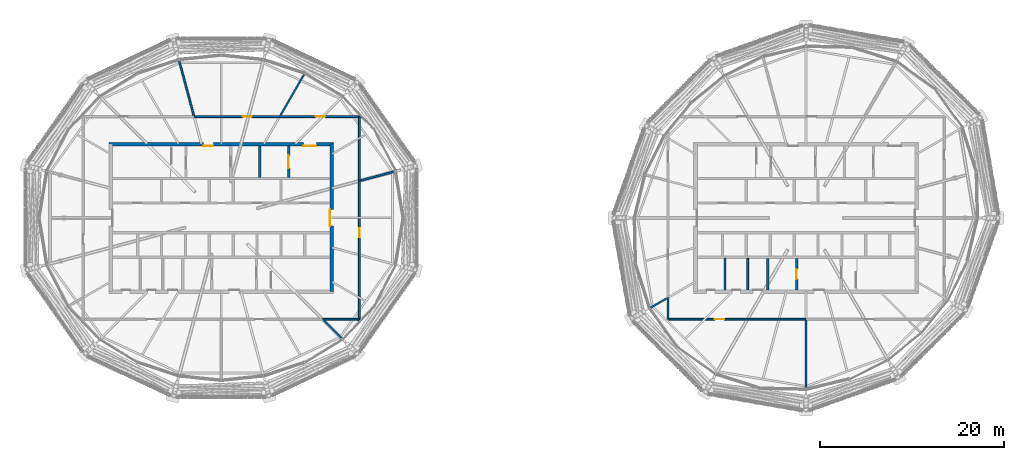
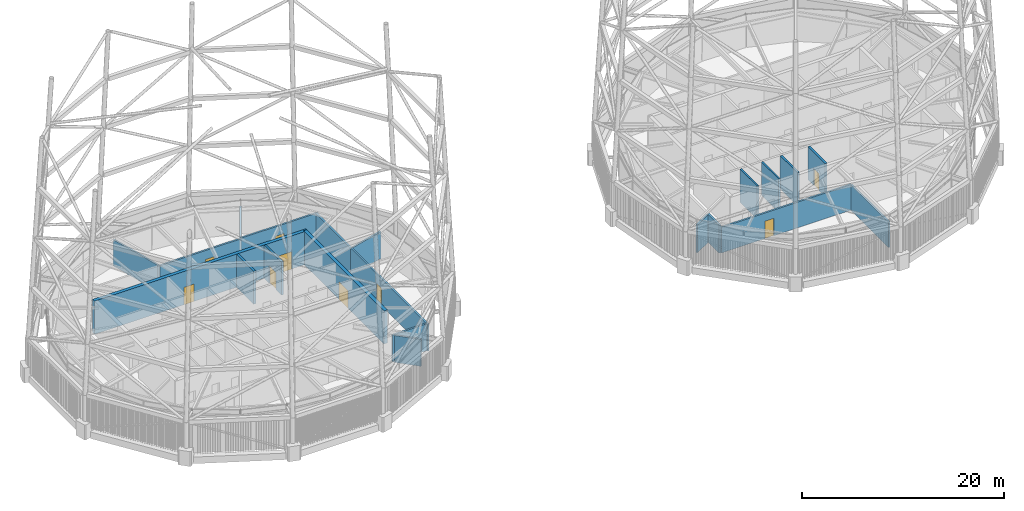
# One storey, part 64 of 71: 21 walls, 9 doors, 9 openings.
"""IFC4 building model written with IfcOpenShell, lengths in metres."""

from ifc_helpers import new_model, si_unit, direction, frame, frame_2d, origin, place, context, subcontext, project, spatial, rectangle, extrude, material, layer, layer_set, type_object, element, fill, save


model = new_model("IFC4")

# Units and contexts
model_context = context("Model", 3, precision=1e-05, world=origin(), true_north=direction((0.0, 1.0)))
body_context = subcontext(model_context, "Body", "Model", "MODEL_VIEW")
ifc_project = project(units=[si_unit("LENGTHUNIT", "METRE"), si_unit("AREAUNIT", "SQUARE_METRE"), si_unit("VOLUMEUNIT", "CUBIC_METRE"), si_unit("PLANEANGLEUNIT", "RADIAN"), si_unit("MASSUNIT", "GRAM", prefix="KILO")], contexts=[model_context])

# Site, building, storey
site_placement = place(None, origin())
site = spatial("IfcSite", under=ifc_project, at=site_placement, CompositionType="ELEMENT")
building_placement = place(site_placement, origin())
building = spatial("IfcBuilding", under=site, at=building_placement, Name="Rimbun Link Towers", CompositionType="ELEMENT")
storey_placement = place(building_placement, frame((0.0, 0.0, 267.60009765625)))
storey = spatial("IfcBuildingStorey", under=building, at=storey_placement, Name="L65", CompositionType="ELEMENT", Elevation=267.60009765625)

# Walls
ifc_material_1 = material(Name="Masonry blockwork", Category="masonry")
ifc_layer_1 = layer(ifc_material_1, 0.199951171875)
ifc_layer_set_1 = layer_set([ifc_layer_1], Name="Core partition 200")
wall_type_1 = type_object("IfcWallType", Name="Core partition 200", PredefinedType="PARTITIONING", material=ifc_layer_set_1)
for number, where, z_axis, x_axis, name in (
    (1, (22.949951171875, -4.39990234375, 0.0), (0.0, 0.0, 1.0), (0.0, -1.0, 0.0), "L65 T2 core wall C1"),
    (2, (25.39990234375, -4.39990234375, 0.0), (0.0, 0.0, 1.0), (0.0, -1.0, 0.0), "L65 T2 core wall C2"),
):
    element("IfcWall", number, at=place(storey_placement, frame(where, z_axis=z_axis, x_axis=x_axis)), inside=storey, type_object=wall_type_1, Name=name, PredefinedType="PARTITIONING", context=body_context, shape_type="SweptSolid", body=[
        extrude(rectangle(XDim=3.400146484375, YDim=0.199951171875, at=frame_2d((1.7001953125, 0.0))), origin(), (0.0, 0.0, 1.0), 4.0),
    ])

# Wall, openings, doors
ifc_material_2 = material(Name="Concrete C60/75", Category="concrete")
ifc_layer_2 = layer(ifc_material_2, 0.39990234375)
ifc_layer_set_2 = layer_set([ifc_layer_2], Name="Core shear wall 400")
wall_type_2 = type_object("IfcWallType", Name="Core shear wall 400", PredefinedType="SHEAR", material=ifc_layer_set_2)
wall_1_placement = place(storey_placement, frame((-43.949951171875, 8.0, 0.0), z_axis=(0.0, 0.0, 1.0), x_axis=(1.0, 0.0, 0.0)))
wall_1 = element("IfcWall", 3, at=wall_1_placement, inside=storey, type_object=wall_type_2, Name="L65 T1 core wall N", PredefinedType="SHEAR", context=body_context, shape_type="SweptSolid", body=[
    extrude(rectangle(XDim=24.39990234375, YDim=0.39990234375, at=frame_2d((12.199951171875, 0.0))), origin(), (0.0, 0.0, 1.0), 4.0),
])
opening_1_placement = place(wall_1_placement, frame((10.25, 0.0, 0.0)))
opening_1 = element("IfcOpeningElement", 4, at=opening_1_placement, cuts=wall_1, Name="Opening C1DCF01N", PredefinedType="OPENING", context=body_context, shape_type="SweptSolid", body=[
    extrude(rectangle(XDim=1.10009765625, YDim=2.10009765625, at=frame_2d((0.550048828125, 1.050048828125))), frame((0.0, 0.2099609375, 0.0), z_axis=(0.0, -1.0, 0.0), x_axis=(1.0, 0.0, 0.0)), (0.0, 0.0, 1.0), 0.419921875),
])
opening_2_placement = place(wall_1_placement, frame((21.125, 0.0, 0.0)))
opening_2 = element("IfcOpeningElement", 5, at=opening_2_placement, cuts=wall_1, Name="Opening C1DSL02N", PredefinedType="OPENING", context=body_context, shape_type="SweptSolid", body=[
    extrude(rectangle(XDim=1.39990234375, YDim=2.10009765625, at=frame_2d((0.699951171875, 1.050048828125))), frame((0.0, 0.2099609375, 0.0), z_axis=(0.0, -1.0, 0.0), x_axis=(1.0, 0.0, 0.0)), (0.0, 0.0, 1.0), 0.419921875),
])
ifc_material_3 = material(Name="Steel fire door set", Category="steel")
door_type_1 = type_object("IfcDoorType", Name="Core fire door single", OperationType="SINGLE_SWING_LEFT", PredefinedType="DOOR", material=ifc_material_3)
door_1_placement = place(opening_1_placement, origin())
door_1 = element("IfcDoor", 6, at=door_1_placement, inside=storey, type_object=door_type_1, Name="L65 T1 firefighting lobby n door", OperationType="SINGLE_SWING_LEFT", OverallHeight=2.10009765625, OverallWidth=1.10009765625, PredefinedType="DOOR", context=body_context, shape_type="SweptSolid", body=[
    extrude(rectangle(XDim=1.10009765625, YDim=2.10009765625, at=frame_2d((0.550048828125, 1.050048828125))), frame((0.0, -0.14990234375, 0.0), z_axis=(0.0, -1.0, 0.0), x_axis=(1.0, 0.0, 0.0)), (0.0, 0.0, 1.0), 0.050048828125),
])
fill(opening_1, door_1)
ifc_material_4 = material(Name="Steel fire door set", Category="steel")
door_type_2 = type_object("IfcDoorType", Name="Service lobby door double", OperationType="DOUBLE_DOOR_SINGLE_SWING", PredefinedType="DOOR", material=ifc_material_4)
door_2_placement = place(opening_2_placement, origin())
door_2 = element("IfcDoor", 7, at=door_2_placement, inside=storey, type_object=door_type_2, Name="L65 T1 service lobby door", OperationType="DOUBLE_DOOR_SINGLE_SWING", OverallHeight=2.10009765625, OverallWidth=1.39990234375, PredefinedType="DOOR", context=body_context, shape_type="SweptSolid", body=[
    extrude(rectangle(XDim=1.39990234375, YDim=2.10009765625, at=frame_2d((0.699951171875, 1.050048828125))), frame((0.0, -0.14990234375, 0.0), z_axis=(0.0, -1.0, 0.0), x_axis=(1.0, 0.0, 0.0)), (0.0, 0.0, 1.0), 0.050048828125),
])
fill(opening_2, door_2)

# Wall, opening, door
wall_2_placement = place(storey_placement, frame((-19.75, -8.0, 0.0), z_axis=(0.0, 0.0, 1.0), x_axis=(0.0, 1.0, 0.0)))
wall_2 = element("IfcWall", 8, at=wall_2_placement, inside=storey, type_object=wall_type_2, Name="L65 T1 core wall E", PredefinedType="SHEAR", context=body_context, shape_type="SweptSolid", body=[
    extrude(rectangle(XDim=16.0, YDim=0.39990234375, at=frame_2d((8.0, 0.0))), origin(), (0.0, 0.0, 1.0), 4.0),
])
opening_3_placement = place(wall_2_placement, frame((7.10009765625, 0.0, 0.0)))
opening_3 = element("IfcOpeningElement", 9, at=opening_3_placement, cuts=wall_2, Name="Opening C1DCL01E", PredefinedType="OPENING", context=body_context, shape_type="SweptSolid", body=[
    extrude(rectangle(XDim=1.800048828125, YDim=2.10009765625, at=frame_2d((0.89990234375, 1.050048828125))), frame((0.0, 0.2099609375, 0.0), z_axis=(0.0, -1.0, 0.0), x_axis=(1.0, 0.0, 0.0)), (0.0, 0.0, 1.0), 0.419921875),
])
ifc_material_5 = material(Name="Steel fire door set", Category="steel")
door_type_3 = type_object("IfcDoorType", Name="Core lobby door double", OperationType="DOUBLE_DOOR_SINGLE_SWING", PredefinedType="DOOR", material=ifc_material_5)
door_3_placement = place(opening_3_placement, origin())
door_3 = element("IfcDoor", 10, at=door_3_placement, inside=storey, type_object=door_type_3, Name="L65 T1 lift lobby door", OperationType="DOUBLE_DOOR_SINGLE_SWING", OverallHeight=2.10009765625, OverallWidth=1.800048828125, PredefinedType="DOOR", context=body_context, shape_type="SweptSolid", body=[
    extrude(rectangle(XDim=1.800048828125, YDim=2.10009765625, at=frame_2d((0.89990234375, 1.050048828125))), frame((0.0, 0.2001953125, 0.0), z_axis=(0.0, -1.0, 0.0), x_axis=(1.0, 0.0, 0.0)), (0.0, 0.0, 1.0), 0.050048828125),
])
fill(opening_3, door_3)

# Wall
ifc_material_6 = material(Name="Concrete blockwork", Category="masonry")
ifc_layer_3 = layer(ifc_material_6, 0.199951171875)
ifc_layer_set_3 = layer_set([ifc_layer_3], Name="Fire partition 200 blockwork")
wall_type_3 = type_object("IfcWallType", Name="Fire partition 200 blockwork", PredefinedType="PARTITIONING", material=ifc_layer_set_3)
wall_3_placement = place(storey_placement, frame((-20.75, -11.0, 0.0), z_axis=(0.0, 0.0, 1.0), x_axis=(1.0, 0.0, 0.0)))
element("IfcWall", 11, at=wall_3_placement, inside=storey, type_object=wall_type_3, Name="TW/PW/L65/004", PredefinedType="PARTITIONING", context=body_context, shape_type="SweptSolid", body=[
    extrude(rectangle(XDim=3.97802734375, YDim=0.199951171875, at=frame_2d((1.989013671875, 0.0))), origin(), (0.0, 0.0, 1.0), 3.246826171875),
])

# Wall, opening, door
wall_4_placement = place(storey_placement, frame((-16.75, -11.21875, 0.0), z_axis=(0.0, 0.0, 1.0), x_axis=(0.0, 1.0, 0.0)))
wall_4 = element("IfcWall", 12, at=wall_4_placement, inside=storey, type_object=wall_type_3, Name="TW/PW/L65/005", PredefinedType="PARTITIONING", context=body_context, shape_type="SweptSolid", body=[
    extrude(rectangle(XDim=15.238037109375, YDim=0.199951171875, at=frame_2d((7.619140625, 0.0))), origin(), (0.0, 0.0, 1.0), 3.246826171875),
])
opening_4_placement = place(wall_4_placement, frame((9.1201171875, 0.0, 0.0)))
opening_4 = element("IfcOpeningElement", 13, at=opening_4_placement, cuts=wall_4, Name="Opening TW D65.03", PredefinedType="OPENING", context=body_context, shape_type="SweptSolid", body=[
    extrude(rectangle(XDim=1.0, YDim=2.10009765625, at=frame_2d((0.5, 1.050048828125))), frame((0.0, 0.10986328125, 0.0), z_axis=(0.0, -1.0, 0.0), x_axis=(1.0, 0.0, 0.0)), (0.0, 0.0, 1.0), 0.219970703125),
])
ifc_material_7 = material(Name="Steel fire door set", Category="steel")
door_type_4 = type_object("IfcDoorType", Name="Fire door single leaf 1000 x 2100", OperationType="NOTDEFINED", PredefinedType="DOOR", material=ifc_material_7)
door_4_placement = place(opening_4_placement, origin())
door_4 = element("IfcDoor", 14, at=door_4_placement, inside=storey, type_object=door_type_4, Name="TW/DR/L65/003", OperationType="SINGLE_SWING_RIGHT", OverallHeight=2.10009765625, OverallWidth=1.0, PredefinedType="DOOR", context=body_context, shape_type="SweptSolid", body=[
    extrude(rectangle(XDim=1.0, YDim=2.10009765625, at=frame_2d((0.5, 1.050048828125))), frame((0.0, 0.02490234375, 0.0), z_axis=(0.0, -1.0, 0.0), x_axis=(1.0, 0.0, 0.0)), (0.0, 0.0, 1.0), 0.050048828125),
])
fill(opening_4, door_4)

# Wall
wall_5_placement = place(storey_placement, frame((-16.75, 4.019287109375, 0.0), z_axis=(0.0, 0.0, 1.0), x_axis=(0.0, 1.0, 0.0)))
element("IfcWall", 15, at=wall_5_placement, inside=storey, type_object=wall_type_3, Name="TW/PW/L65/006", PredefinedType="PARTITIONING", context=body_context, shape_type="SweptSolid", body=[
    extrude(rectangle(XDim=6.95947265625, YDim=0.199951171875, at=frame_2d((3.479736328125, 0.0))), origin(), (0.0, 0.0, 1.0), 3.246826171875),
])

# Wall, opening, door
wall_6_placement = place(storey_placement, frame((-16.536865234375, 11.0, 0.0), z_axis=(0.0, 0.0, 1.0), x_axis=(-1.0, 0.0, 0.0)))
wall_6 = element("IfcWall", 16, at=wall_6_placement, inside=storey, type_object=wall_type_3, Name="TW/PW/L65/007", PredefinedType="PARTITIONING", context=body_context, shape_type="SweptSolid", body=[
    extrude(rectangle(XDim=8.8623046875, YDim=0.199951171875, at=frame_2d((4.43115234375, 0.0))), origin(), (0.0, 0.0, 1.0), 3.246826171875),
])
opening_5_placement = place(wall_6_placement, frame((3.930908203125, 0.0, 0.0)))
opening_5 = element("IfcOpeningElement", 17, at=opening_5_placement, cuts=wall_6, Name="Opening TW D65.04", PredefinedType="OPENING", context=body_context, shape_type="SweptSolid", body=[
    extrude(rectangle(XDim=1.0, YDim=2.10009765625, at=frame_2d((0.5, 1.050048828125))), frame((0.0, 0.10986328125, 0.0), z_axis=(0.0, -1.0, 0.0), x_axis=(1.0, 0.0, 0.0)), (0.0, 0.0, 1.0), 0.219970703125),
])
door_5_placement = place(opening_5_placement, origin())
door_5 = element("IfcDoor", 18, at=door_5_placement, inside=storey, type_object=door_type_4, Name="TW/DR/L65/004", OperationType="SINGLE_SWING_LEFT", OverallHeight=2.10009765625, OverallWidth=1.0, PredefinedType="DOOR", context=body_context, shape_type="SweptSolid", body=[
    extrude(rectangle(XDim=1.0, YDim=2.10009765625, at=frame_2d((0.5, 1.050048828125))), frame((0.0, 0.02490234375, 0.0), z_axis=(0.0, -1.0, 0.0), x_axis=(1.0, 0.0, 0.0)), (0.0, 0.0, 1.0), 0.050048828125),
])
fill(opening_5, door_5)

wall_7_placement = place(storey_placement, frame((-25.399169921875, 11.0, 0.0), z_axis=(0.0, 0.0, 1.0), x_axis=(-1.0, 0.0, 0.0)))
wall_7 = element("IfcWall", 19, at=wall_7_placement, inside=storey, type_object=wall_type_3, Name="TW/PW/L65/008", PredefinedType="PARTITIONING", context=body_context, shape_type="SweptSolid", body=[
    extrude(rectangle(XDim=9.29833984375, YDim=0.199951171875, at=frame_2d((4.649169921875, 0.0))), origin(), (0.0, 0.0, 1.0), 3.177001953125),
])
opening_6_placement = place(wall_7_placement, frame((3.0390625, 0.0, 0.0)))
opening_6 = element("IfcOpeningElement", 20, at=opening_6_placement, cuts=wall_7, Name="Opening TW D65.05", PredefinedType="OPENING", context=body_context, shape_type="SweptSolid", body=[
    extrude(rectangle(XDim=1.0, YDim=2.10009765625, at=frame_2d((0.5, 1.050048828125))), frame((0.0, 0.10986328125, 0.0), z_axis=(0.0, -1.0, 0.0), x_axis=(1.0, 0.0, 0.0)), (0.0, 0.0, 1.0), 0.219970703125),
])
door_6_placement = place(opening_6_placement, origin())
door_6 = element("IfcDoor", 21, at=door_6_placement, inside=storey, type_object=door_type_4, Name="TW/DR/L65/005", OperationType="SINGLE_SWING_RIGHT", OverallHeight=2.10009765625, OverallWidth=1.0, PredefinedType="DOOR", context=body_context, shape_type="SweptSolid", body=[
    extrude(rectangle(XDim=1.0, YDim=2.10009765625, at=frame_2d((0.5, 1.050048828125))), frame((0.0, 0.02490234375, 0.0), z_axis=(0.0, -1.0, 0.0), x_axis=(1.0, 0.0, 0.0)), (0.0, 0.0, 1.0), 0.050048828125),
])
fill(opening_6, door_6)

# Walls
wall_8_placement = place(storey_placement, frame((-18.639892578125, -13.110107421875, 0.0), z_axis=(0.0, 0.0, 1.0), x_axis=(-0.707106781187, 0.707106781187, 0.0)))
element("IfcWall", 22, at=wall_8_placement, inside=storey, type_object=wall_type_3, Name="TW/PW/L65/014", PredefinedType="PARTITIONING", context=body_context, shape_type="SweptSolid", body=[
    extrude(rectangle(XDim=2.742919921875, YDim=0.199951171875, at=frame_2d((1.37158203125, 0.0))), origin(), (0.0, 0.0, 1.0), 3.246826171875),
])
wall_9_placement = place(storey_placement, frame((-12.819091796875, 5.072509765625, 0.0), z_axis=(0.0, 0.0, 1.0), x_axis=(-0.965925642897, -0.258819729531, 0.0)))
element("IfcWall", 23, at=wall_9_placement, inside=storey, type_object=wall_type_3, Name="TW/PW/L65/015", PredefinedType="PARTITIONING", context=body_context, shape_type="SweptSolid", body=[
    extrude(rectangle(XDim=3.939208984375, YDim=0.199951171875, at=frame_2d((1.9697265625, 0.0))), origin(), (0.0, 0.0, 1.0), 3.246826171875),
])
wall_10_placement = place(storey_placement, frame((-22.730712890625, 15.621826171875, 0.0), z_axis=(0.0, 0.0, 1.0), x_axis=(-0.499988479627, -0.866032054973, 0.0)))
element("IfcWall", 24, at=wall_10_placement, inside=storey, type_object=wall_type_3, Name="TW/PW/L65/016", PredefinedType="PARTITIONING", context=body_context, shape_type="SweptSolid", body=[
    extrude(rectangle(XDim=5.16357421875, YDim=0.199951171875, at=frame_2d((2.581787109375, 0.0))), origin(), (0.0, 0.0, 1.0), 3.326904296875),
])
wall_11_placement = place(storey_placement, frame((-36.350830078125, 17.17041015625, 0.0), z_axis=(0.0, 0.0, 1.0), x_axis=(0.258823190967, -0.965924715399, 0.0)))
element("IfcWall", 25, at=wall_11_placement, inside=storey, type_object=wall_type_3, Name="TW/PW/L65/017", PredefinedType="PARTITIONING", context=body_context, shape_type="SweptSolid", body=[
    extrude(rectangle(XDim=6.257568359375, YDim=0.199951171875, at=frame_2d((3.12890625, 0.0))), origin(), (0.0, 0.0, 1.0), 3.177001953125),
])
wall_12_placement = place(storey_placement, frame((16.75, -8.660400390625, 0.0), z_axis=(0.0, 0.0, 1.0), x_axis=(0.0, -1.0, 0.0)))
element("IfcWall", 26, at=wall_12_placement, inside=storey, type_object=wall_type_3, Name="TW/PW/L65/019", PredefinedType="PARTITIONING", context=body_context, shape_type="SweptSolid", body=[
    extrude(rectangle(XDim=2.339599609375, YDim=0.199951171875, at=frame_2d((1.169921875, 0.0))), origin(), (0.0, 0.0, 1.0), 3.3740234375),
])

# Wall, opening, door
wall_13_placement = place(storey_placement, frame((16.85009765625, -11.0, 0.0), z_axis=(0.0, 0.0, 1.0), x_axis=(1.0, 0.0, 0.0)))
wall_13 = element("IfcWall", 27, at=wall_13_placement, inside=storey, type_object=wall_type_3, Name="TW/PW/L65/020", PredefinedType="PARTITIONING", context=body_context, shape_type="SweptSolid", body=[
    extrude(rectangle(XDim=14.89990234375, YDim=0.199951171875, at=frame_2d((7.449951171875, 0.0))), origin(), (0.0, 0.0, 1.0), 3.096923828125),
])
opening_7_placement = place(wall_13_placement, frame((5.0, 0.0, 0.0)))
opening_7 = element("IfcOpeningElement", 28, at=opening_7_placement, cuts=wall_13, Name="Opening TW D65.08", PredefinedType="OPENING", context=body_context, shape_type="SweptSolid", body=[
    extrude(rectangle(XDim=1.0, YDim=2.10009765625, at=frame_2d((0.5, 1.050048828125))), frame((0.0, 0.10986328125, 0.0), z_axis=(0.0, -1.0, 0.0), x_axis=(1.0, 0.0, 0.0)), (0.0, 0.0, 1.0), 0.219970703125),
])
door_7_placement = place(opening_7_placement, origin())
door_7 = element("IfcDoor", 29, at=door_7_placement, inside=storey, type_object=door_type_4, Name="TW/DR/L65/008", OperationType="SINGLE_SWING_LEFT", OverallHeight=2.10009765625, OverallWidth=1.0, PredefinedType="DOOR", context=body_context, shape_type="SweptSolid", body=[
    extrude(rectangle(XDim=1.0, YDim=2.10009765625, at=frame_2d((0.5, 1.050048828125))), frame((0.0, 0.02490234375, 0.0), z_axis=(0.0, -1.0, 0.0), x_axis=(1.0, 0.0, 0.0)), (0.0, 0.0, 1.0), 0.050048828125),
])
fill(opening_7, door_7)

# Walls
wall_14_placement = place(storey_placement, frame((31.75, -18.54052734375, 0.0), z_axis=(0.0, 0.0, 1.0), x_axis=(0.0, 1.0, 0.0)))
element("IfcWall", 30, at=wall_14_placement, inside=storey, type_object=wall_type_3, Name="TW/PW/L65/031", PredefinedType="PARTITIONING", context=body_context, shape_type="SweptSolid", body=[
    extrude(rectangle(XDim=7.4404296875, YDim=0.199951171875, at=frame_2d((3.72021484375, 0.0))), origin(), (0.0, 0.0, 1.0), 3.096923828125),
])
wall_15_placement = place(storey_placement, frame((16.60009765625, -8.746826171875, 0.0), z_axis=(0.0, 0.0, 1.0), x_axis=(-0.86605813333, -0.499943306479, 0.0)))
element("IfcWall", 31, at=wall_15_placement, inside=storey, type_object=wall_type_3, Name="TW/PW/L65/032", PredefinedType="PARTITIONING", context=body_context, shape_type="SweptSolid", body=[
    extrude(rectangle(XDim=2.105224609375, YDim=0.199951171875, at=frame_2d((1.052734375, 0.0))), origin(), (0.0, 0.0, 1.0), 3.3740234375),
])
ifc_material_8 = material(Name="Concrete C60/75", Category="concrete")
ifc_layer_4 = layer(ifc_material_8, 0.25)
ifc_layer_set_4 = layer_set([ifc_layer_4], Name="Shaft wall 250")
wall_type_4 = type_object("IfcWallType", Name="Shaft wall 250", PredefinedType="SHEAR", material=ifc_layer_set_4)
wall_16_placement = place(storey_placement, frame((-27.574951171875, 4.39990234375, 0.0), z_axis=(0.0, 0.0, 1.0), x_axis=(0.0, 1.0, 0.0)))
element("IfcWall", 32, at=wall_16_placement, inside=storey, type_object=wall_type_4, Name="L65 T1 core wall A3", PredefinedType="SHEAR", context=body_context, shape_type="SweptSolid", body=[
    extrude(rectangle(XDim=3.400146484375, YDim=0.25, at=frame_2d((1.7001953125, 0.0))), origin(), (0.0, 0.0, 1.0), 4.0),
])

# Wall, opening, door
wall_17_placement = place(storey_placement, frame((-24.425048828125, 4.39990234375, 0.0), z_axis=(0.0, 0.0, 1.0), x_axis=(0.0, 1.0, 0.0)))
wall_17 = element("IfcWall", 33, at=wall_17_placement, inside=storey, type_object=wall_type_4, Name="L65 T1 core wall A4", PredefinedType="SHEAR", context=body_context, shape_type="SweptSolid", body=[
    extrude(rectangle(XDim=3.400146484375, YDim=0.25, at=frame_2d((1.7001953125, 0.0))), origin(), (0.0, 0.0, 1.0), 4.0),
])
opening_8_placement = place(wall_17_placement, frame((1.0, 0.0, 0.0)))
opening_8 = element("IfcOpeningElement", 34, at=opening_8_placement, cuts=wall_17, Name="Opening LD-T1-GL1", PredefinedType="OPENING", context=body_context, shape_type="SweptSolid", body=[
    extrude(rectangle(XDim=1.39990234375, YDim=2.10009765625, at=frame_2d((0.699951171875, 1.050048828125))), frame((0.0, 0.135009765625, 0.0), z_axis=(0.0, -1.0, 0.0), x_axis=(1.0, 0.0, 0.0)), (0.0, 0.0, 1.0), 0.27001953125),
])
ifc_material_9 = material(Name="Stainless steel grade 316", Category="steel")
door_type_5 = type_object("IfcDoorType", Name="Goods lift landing door", OperationType="DOUBLE_DOOR_SLIDING", PredefinedType="DOOR", material=ifc_material_9)
door_8_placement = place(opening_8_placement, origin())
door_8 = element("IfcDoor", 35, at=door_8_placement, inside=storey, type_object=door_type_5, Name="L65 T1 lift GL1 landing door", OperationType="DOUBLE_DOOR_SLIDING", OverallHeight=2.10009765625, OverallWidth=1.39990234375, PredefinedType="DOOR", context=body_context, shape_type="SweptSolid", body=[
    extrude(rectangle(XDim=1.39990234375, YDim=2.10009765625, at=frame_2d((0.699951171875, 1.050048828125))), frame((0.0, 0.02490234375, 0.0), z_axis=(0.0, -1.0, 0.0), x_axis=(1.0, 0.0, 0.0)), (0.0, 0.0, 1.0), 0.050048828125),
])
fill(opening_8, door_8)

wall_18_placement = place(storey_placement, frame((30.72509765625, -4.39990234375, 0.0), z_axis=(0.0, 0.0, 1.0), x_axis=(0.0, -1.0, 0.0)))
wall_18 = element("IfcWall", 36, at=wall_18_placement, inside=storey, type_object=wall_type_4, Name="L65 T2 core wall B2", PredefinedType="SHEAR", context=body_context, shape_type="SweptSolid", body=[
    extrude(rectangle(XDim=3.400146484375, YDim=0.25, at=frame_2d((1.7001953125, 0.0))), origin(), (0.0, 0.0, 1.0), 4.0),
])
opening_9_placement = place(wall_18_placement, frame((1.14990234375, 0.0, 0.0)))
opening_9 = element("IfcOpeningElement", 37, at=opening_9_placement, cuts=wall_18, Name="Opening LD-T2-FF2", PredefinedType="OPENING", context=body_context, shape_type="SweptSolid", body=[
    extrude(rectangle(XDim=1.10009765625, YDim=2.10009765625, at=frame_2d((0.550048828125, 1.050048828125))), frame((0.0, 0.135009765625, 0.0), z_axis=(0.0, -1.0, 0.0), x_axis=(1.0, 0.0, 0.0)), (0.0, 0.0, 1.0), 0.27001953125),
])
ifc_material_10 = material(Name="Stainless steel grade 316", Category="steel")
door_type_6 = type_object("IfcDoorType", Name="Lift landing door", OperationType="DOUBLE_DOOR_SLIDING", PredefinedType="DOOR", material=ifc_material_10)
door_9_placement = place(opening_9_placement, origin())
door_9 = element("IfcDoor", 38, at=door_9_placement, inside=storey, type_object=door_type_6, Name="L65 T2 lift FF2 landing door", OperationType="DOUBLE_DOOR_SLIDING", OverallHeight=2.10009765625, OverallWidth=1.10009765625, PredefinedType="DOOR", context=body_context, shape_type="SweptSolid", body=[
    extrude(rectangle(XDim=1.10009765625, YDim=2.10009765625, at=frame_2d((0.550048828125, 1.050048828125))), frame((0.0, 0.02490234375, 0.0), z_axis=(0.0, -1.0, 0.0), x_axis=(1.0, 0.0, 0.0)), (0.0, 0.0, 1.0), 0.050048828125),
])
fill(opening_9, door_9)

# Wall
wall_19_placement = place(storey_placement, frame((27.574951171875, -4.39990234375, 0.0), z_axis=(0.0, 0.0, 1.0), x_axis=(0.0, -1.0, 0.0)))
element("IfcWall", 39, at=wall_19_placement, inside=storey, type_object=wall_type_4, Name="L65 T2 core wall B3", PredefinedType="SHEAR", context=body_context, shape_type="SweptSolid", body=[
    extrude(rectangle(XDim=3.400146484375, YDim=0.25, at=frame_2d((1.7001953125, 0.0))), origin(), (0.0, 0.0, 1.0), 4.0),
])

save(model, "model.ifc")
